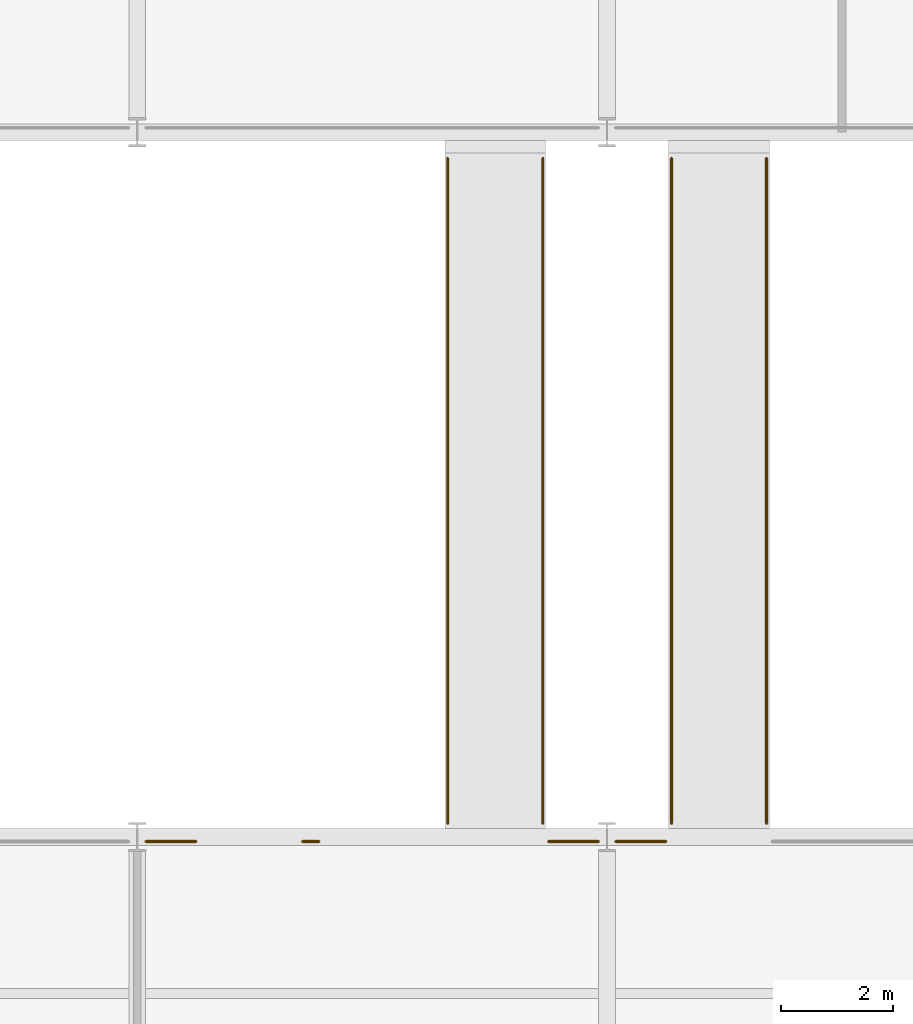
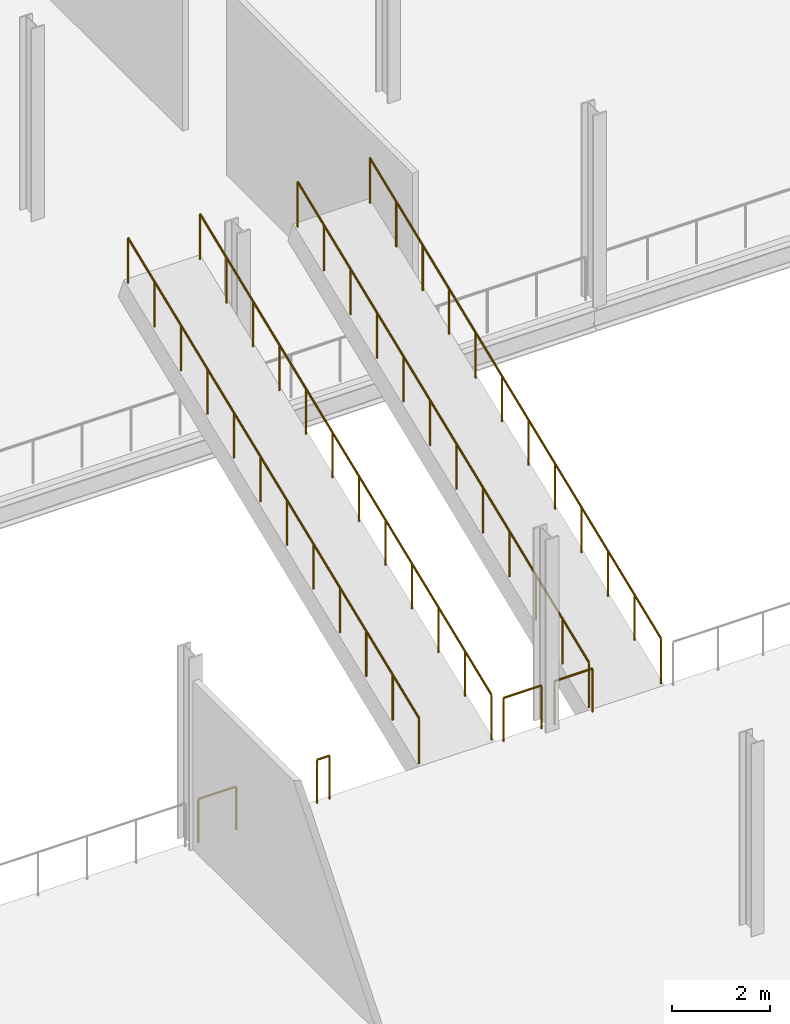
# One storey, part 47 of 61: 8 railings.
"""IFC4 building model written with IfcOpenShell, lengths in metres."""

from ifc_helpers import new_model, si_unit, direction, frame, origin, origin_2d, place, context, subcontext, project, spatial, circle, extrude, material, type_object, element, save


model = new_model("IFC4")

# Units and contexts
model_context = context("Model", 3, precision=1e-05, world=origin(), true_north=direction((0.0, 1.0)))
body_context = subcontext(model_context, "Body", "Model", "MODEL_VIEW")
ifc_project = project(units=[si_unit("LENGTHUNIT", "METRE"), si_unit("AREAUNIT", "SQUARE_METRE"), si_unit("VOLUMEUNIT", "CUBIC_METRE"), si_unit("PLANEANGLEUNIT", "RADIAN"), si_unit("MASSUNIT", "GRAM", prefix="KILO")], contexts=[model_context])

# Site, building, storey
site_placement = place(None, origin())
site = spatial("IfcSite", under=ifc_project, at=site_placement, CompositionType="ELEMENT")
building_placement = place(site_placement, origin())
building = spatial("IfcBuilding", under=site, at=building_placement, Name="Galleria Vessillo Department Store", CompositionType="ELEMENT")
storey_placement = place(building_placement, frame((0.0, 0.0, 11.39990234375)))
storey = spatial("IfcBuildingStorey", under=building, at=storey_placement, Name="L02", CompositionType="ELEMENT", Elevation=11.39990234375)

# Railings
ifc_material_1 = material(Name="Stainless steel tube", Category="steel")
railing_type_1 = type_object("IfcRailingType", Name="Atrium edge guard 1100 mm", PredefinedType="GUARDRAIL", material=ifc_material_1)
railing_1_placement = place(storey_placement, frame((50.552978515625, 25.119873046875, 0.0)))
element("IfcRailing", 1, at=railing_1_placement, inside=storey, type_object=railing_type_1, Name="Atrium edge guard L02-02", PredefinedType="GUARDRAIL", context=body_context, shape_type="SweptSolid", body=[
    extrude(circle(Radius=0.02392578125, at=origin_2d()), frame((0.0, 0.0, 1.076171875), z_axis=(1.0, 0.0, 0.0), x_axis=(0.0, 1.0, 0.0)), (0.0, 0.0, 1.0), 0.89697265625),
    extrude(circle(Radius=0.02099609375, at=origin_2d()), origin(), (0.0, 0.0, 1.0), 1.052001953125),
    extrude(circle(Radius=0.02099609375, at=origin_2d()), frame((0.89697265625, 0.0, 0.0)), (0.0, 0.0, 1.0), 1.052001953125),
])
railing_2_placement = place(storey_placement, frame((53.349853515625, 25.119873046875, 0.0)))
element("IfcRailing", 2, at=railing_2_placement, inside=storey, type_object=railing_type_1, Name="Atrium edge guard L02-03", PredefinedType="GUARDRAIL", context=body_context, shape_type="SweptSolid", body=[
    extrude(circle(Radius=0.02392578125, at=origin_2d()), frame((0.0, 0.0, 1.076171875), z_axis=(1.0, 0.0, 0.0), x_axis=(0.0, 1.0, 0.0)), (0.0, 0.0, 1.0), 0.30029296875),
    extrude(circle(Radius=0.02099609375, at=origin_2d()), origin(), (0.0, 0.0, 1.0), 1.052001953125),
    extrude(circle(Radius=0.02099609375, at=origin_2d()), frame((0.30029296875, 0.0, 0.0)), (0.0, 0.0, 1.0), 1.052001953125),
])
railing_3_placement = place(storey_placement, frame((57.75, 25.119873046875, 0.0)))
element("IfcRailing", 3, at=railing_3_placement, inside=storey, type_object=railing_type_1, Name="Atrium edge guard L02-04", PredefinedType="GUARDRAIL", context=body_context, shape_type="SweptSolid", body=[
    extrude(circle(Radius=0.02392578125, at=origin_2d()), frame((0.0, 0.0, 1.076171875), z_axis=(1.0, 0.0, 0.0), x_axis=(0.0, 1.0, 0.0)), (0.0, 0.0, 1.0), 0.89697265625),
    extrude(circle(Radius=0.02099609375, at=origin_2d()), origin(), (0.0, 0.0, 1.0), 1.052001953125),
    extrude(circle(Radius=0.02099609375, at=origin_2d()), frame((0.89697265625, 0.0, 0.0)), (0.0, 0.0, 1.0), 1.052001953125),
])
railing_4_placement = place(storey_placement, frame((58.952880859375, 25.119873046875, 0.0)))
element("IfcRailing", 4, at=railing_4_placement, inside=storey, type_object=railing_type_1, Name="Atrium edge guard L02-05", PredefinedType="GUARDRAIL", context=body_context, shape_type="SweptSolid", body=[
    extrude(circle(Radius=0.02392578125, at=origin_2d()), frame((0.0, 0.0, 1.076171875), z_axis=(1.0, 0.0, 0.0), x_axis=(0.0, 1.0, 0.0)), (0.0, 0.0, 1.0), 0.897216796875),
    extrude(circle(Radius=0.02099609375, at=origin_2d()), origin(), (0.0, 0.0, 1.0), 1.052001953125),
    extrude(circle(Radius=0.02099609375, at=origin_2d()), frame((0.897216796875, 0.0, 0.0)), (0.0, 0.0, 1.0), 1.052001953125),
])
ifc_material_2 = material(Name="Glass laminated 44.2", Category="glass")
railing_type_2 = type_object("IfcRailingType", Name="Escalator balustrade glass 1150 mm", PredefinedType="BALUSTRADE", material=ifc_material_2)
railing_5_placement = place(storey_placement, frame((55.949951171875, 25.44287109375, -0.124755859375)))
element("IfcRailing", 5, at=railing_5_placement, inside=storey, type_object=railing_type_2, Name="Escalator balustrade ES5 W", PredefinedType="BALUSTRADE", context=body_context, shape_type="SweptSolid", body=[
    extrude(circle(Radius=0.02392578125, at=origin_2d()), frame((0.0, 0.0, 1.1259765625), z_axis=(0.0, 0.928203066198, 0.372074008633), x_axis=(-1.0, 0.0, 0.0)), (0.0, 0.0, 1.0), 12.810791015625),
    extrude(circle(Radius=0.02099609375, at=origin_2d()), origin(), (0.0, 0.0, 1.0), 1.101806640625),
    extrude(circle(Radius=0.02099609375, at=origin_2d()), frame((0.0, 1.0810546875, 0.433349609375)), (0.0, 0.0, 1.0), 1.101806640625),
    extrude(circle(Radius=0.02099609375, at=origin_2d()), frame((0.0, 2.162109375, 0.86669921875)), (0.0, 0.0, 1.0), 1.101806640625),
    extrude(circle(Radius=0.02099609375, at=origin_2d()), frame((0.0, 3.242919921875, 1.300048828125)), (0.0, 0.0, 1.0), 1.101806640625),
    extrude(circle(Radius=0.02099609375, at=origin_2d()), frame((0.0, 4.323974609375, 1.7333984375)), (0.0, 0.0, 1.0), 1.101806640625),
    extrude(circle(Radius=0.02099609375, at=origin_2d()), frame((0.0, 5.405029296875, 2.166748046875)), (0.0, 0.0, 1.0), 1.101806640625),
    extrude(circle(Radius=0.02099609375, at=origin_2d()), frame((0.0, 6.486083984375, 2.599853515625)), (0.0, 0.0, 1.0), 1.101806640625),
    extrude(circle(Radius=0.02099609375, at=origin_2d()), frame((0.0, 7.567138671875, 3.033203125)), (0.0, 0.0, 1.0), 1.101806640625),
    extrude(circle(Radius=0.02099609375, at=origin_2d()), frame((0.0, 8.648193359375, 3.466552734375)), (0.0, 0.0, 1.0), 1.101806640625),
    extrude(circle(Radius=0.02099609375, at=origin_2d()), frame((0.0, 9.72900390625, 3.89990234375)), (0.0, 0.0, 1.0), 1.101806640625),
    extrude(circle(Radius=0.02099609375, at=origin_2d()), frame((0.0, 10.81005859375, 4.333251953125)), (0.0, 0.0, 1.0), 1.101806640625),
    extrude(circle(Radius=0.02099609375, at=origin_2d()), frame((0.0, 11.89111328125, 4.7666015625)), (0.0, 0.0, 1.0), 1.101806640625),
])
railing_6_placement = place(storey_placement, frame((57.650146484375, 25.44287109375, -0.124755859375)))
element("IfcRailing", 6, at=railing_6_placement, inside=storey, type_object=railing_type_2, Name="Escalator balustrade ES5 E", PredefinedType="BALUSTRADE", context=body_context, shape_type="SweptSolid", body=[
    extrude(circle(Radius=0.02392578125, at=origin_2d()), frame((0.0, 0.0, 1.1259765625), z_axis=(0.0, 0.928203066198, 0.372074008633), x_axis=(-1.0, 0.0, 0.0)), (0.0, 0.0, 1.0), 12.810791015625),
    extrude(circle(Radius=0.02099609375, at=origin_2d()), origin(), (0.0, 0.0, 1.0), 1.101806640625),
    extrude(circle(Radius=0.02099609375, at=origin_2d()), frame((0.0, 1.0810546875, 0.433349609375)), (0.0, 0.0, 1.0), 1.101806640625),
    extrude(circle(Radius=0.02099609375, at=origin_2d()), frame((0.0, 2.162109375, 0.86669921875)), (0.0, 0.0, 1.0), 1.101806640625),
    extrude(circle(Radius=0.02099609375, at=origin_2d()), frame((0.0, 3.242919921875, 1.300048828125)), (0.0, 0.0, 1.0), 1.101806640625),
    extrude(circle(Radius=0.02099609375, at=origin_2d()), frame((0.0, 4.323974609375, 1.7333984375)), (0.0, 0.0, 1.0), 1.101806640625),
    extrude(circle(Radius=0.02099609375, at=origin_2d()), frame((0.0, 5.405029296875, 2.166748046875)), (0.0, 0.0, 1.0), 1.101806640625),
    extrude(circle(Radius=0.02099609375, at=origin_2d()), frame((0.0, 6.486083984375, 2.599853515625)), (0.0, 0.0, 1.0), 1.101806640625),
    extrude(circle(Radius=0.02099609375, at=origin_2d()), frame((0.0, 7.567138671875, 3.033203125)), (0.0, 0.0, 1.0), 1.101806640625),
    extrude(circle(Radius=0.02099609375, at=origin_2d()), frame((0.0, 8.648193359375, 3.466552734375)), (0.0, 0.0, 1.0), 1.101806640625),
    extrude(circle(Radius=0.02099609375, at=origin_2d()), frame((0.0, 9.72900390625, 3.89990234375)), (0.0, 0.0, 1.0), 1.101806640625),
    extrude(circle(Radius=0.02099609375, at=origin_2d()), frame((0.0, 10.81005859375, 4.333251953125)), (0.0, 0.0, 1.0), 1.101806640625),
    extrude(circle(Radius=0.02099609375, at=origin_2d()), frame((0.0, 11.89111328125, 4.7666015625)), (0.0, 0.0, 1.0), 1.101806640625),
])
railing_7_placement = place(storey_placement, frame((59.949951171875, 25.44287109375, -0.124755859375)))
element("IfcRailing", 7, at=railing_7_placement, inside=storey, type_object=railing_type_2, Name="Escalator balustrade ES6 W", PredefinedType="BALUSTRADE", context=body_context, shape_type="SweptSolid", body=[
    extrude(circle(Radius=0.02392578125, at=origin_2d()), frame((0.0, 0.0, 1.1259765625), z_axis=(0.0, 0.928203066198, 0.372074008633), x_axis=(-1.0, 0.0, 0.0)), (0.0, 0.0, 1.0), 12.810791015625),
    extrude(circle(Radius=0.02099609375, at=origin_2d()), origin(), (0.0, 0.0, 1.0), 1.101806640625),
    extrude(circle(Radius=0.02099609375, at=origin_2d()), frame((0.0, 1.0810546875, 0.433349609375)), (0.0, 0.0, 1.0), 1.101806640625),
    extrude(circle(Radius=0.02099609375, at=origin_2d()), frame((0.0, 2.162109375, 0.86669921875)), (0.0, 0.0, 1.0), 1.101806640625),
    extrude(circle(Radius=0.02099609375, at=origin_2d()), frame((0.0, 3.242919921875, 1.300048828125)), (0.0, 0.0, 1.0), 1.101806640625),
    extrude(circle(Radius=0.02099609375, at=origin_2d()), frame((0.0, 4.323974609375, 1.7333984375)), (0.0, 0.0, 1.0), 1.101806640625),
    extrude(circle(Radius=0.02099609375, at=origin_2d()), frame((0.0, 5.405029296875, 2.166748046875)), (0.0, 0.0, 1.0), 1.101806640625),
    extrude(circle(Radius=0.02099609375, at=origin_2d()), frame((0.0, 6.486083984375, 2.599853515625)), (0.0, 0.0, 1.0), 1.101806640625),
    extrude(circle(Radius=0.02099609375, at=origin_2d()), frame((0.0, 7.567138671875, 3.033203125)), (0.0, 0.0, 1.0), 1.101806640625),
    extrude(circle(Radius=0.02099609375, at=origin_2d()), frame((0.0, 8.648193359375, 3.466552734375)), (0.0, 0.0, 1.0), 1.101806640625),
    extrude(circle(Radius=0.02099609375, at=origin_2d()), frame((0.0, 9.72900390625, 3.89990234375)), (0.0, 0.0, 1.0), 1.101806640625),
    extrude(circle(Radius=0.02099609375, at=origin_2d()), frame((0.0, 10.81005859375, 4.333251953125)), (0.0, 0.0, 1.0), 1.101806640625),
    extrude(circle(Radius=0.02099609375, at=origin_2d()), frame((0.0, 11.89111328125, 4.7666015625)), (0.0, 0.0, 1.0), 1.101806640625),
])
railing_8_placement = place(storey_placement, frame((61.650146484375, 25.44287109375, -0.124755859375)))
element("IfcRailing", 8, at=railing_8_placement, inside=storey, type_object=railing_type_2, Name="Escalator balustrade ES6 E", PredefinedType="BALUSTRADE", context=body_context, shape_type="SweptSolid", body=[
    extrude(circle(Radius=0.02392578125, at=origin_2d()), frame((0.0, 0.0, 1.1259765625), z_axis=(0.0, 0.928203066198, 0.372074008633), x_axis=(-1.0, 0.0, 0.0)), (0.0, 0.0, 1.0), 12.810791015625),
    extrude(circle(Radius=0.02099609375, at=origin_2d()), origin(), (0.0, 0.0, 1.0), 1.101806640625),
    extrude(circle(Radius=0.02099609375, at=origin_2d()), frame((0.0, 1.0810546875, 0.433349609375)), (0.0, 0.0, 1.0), 1.101806640625),
    extrude(circle(Radius=0.02099609375, at=origin_2d()), frame((0.0, 2.162109375, 0.86669921875)), (0.0, 0.0, 1.0), 1.101806640625),
    extrude(circle(Radius=0.02099609375, at=origin_2d()), frame((0.0, 3.242919921875, 1.300048828125)), (0.0, 0.0, 1.0), 1.101806640625),
    extrude(circle(Radius=0.02099609375, at=origin_2d()), frame((0.0, 4.323974609375, 1.7333984375)), (0.0, 0.0, 1.0), 1.101806640625),
    extrude(circle(Radius=0.02099609375, at=origin_2d()), frame((0.0, 5.405029296875, 2.166748046875)), (0.0, 0.0, 1.0), 1.101806640625),
    extrude(circle(Radius=0.02099609375, at=origin_2d()), frame((0.0, 6.486083984375, 2.599853515625)), (0.0, 0.0, 1.0), 1.101806640625),
    extrude(circle(Radius=0.02099609375, at=origin_2d()), frame((0.0, 7.567138671875, 3.033203125)), (0.0, 0.0, 1.0), 1.101806640625),
    extrude(circle(Radius=0.02099609375, at=origin_2d()), frame((0.0, 8.648193359375, 3.466552734375)), (0.0, 0.0, 1.0), 1.101806640625),
    extrude(circle(Radius=0.02099609375, at=origin_2d()), frame((0.0, 9.72900390625, 3.89990234375)), (0.0, 0.0, 1.0), 1.101806640625),
    extrude(circle(Radius=0.02099609375, at=origin_2d()), frame((0.0, 10.81005859375, 4.333251953125)), (0.0, 0.0, 1.0), 1.101806640625),
    extrude(circle(Radius=0.02099609375, at=origin_2d()), frame((0.0, 11.89111328125, 4.7666015625)), (0.0, 0.0, 1.0), 1.101806640625),
])

save(model, "model.ifc")
